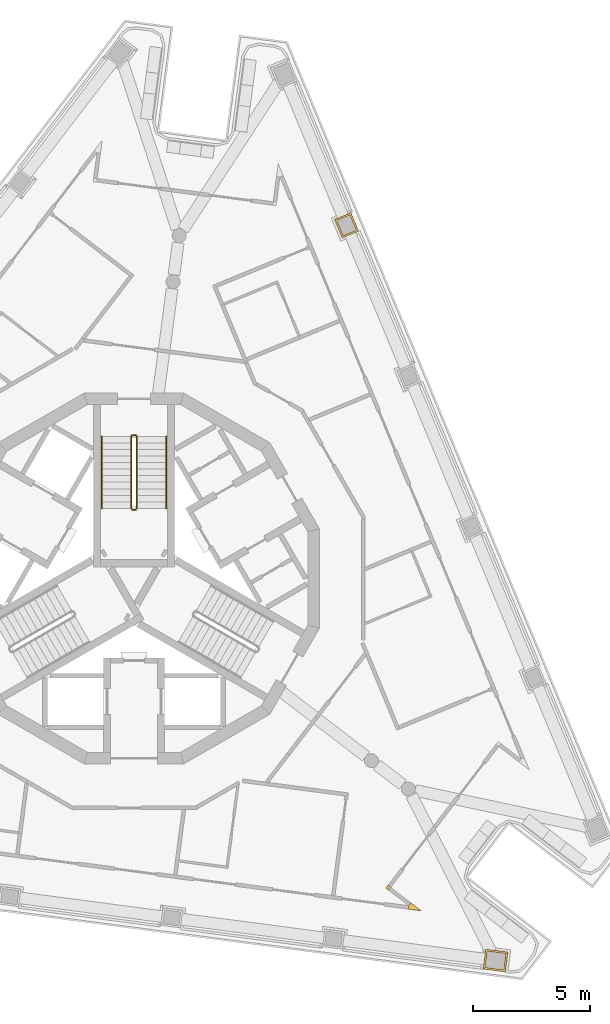
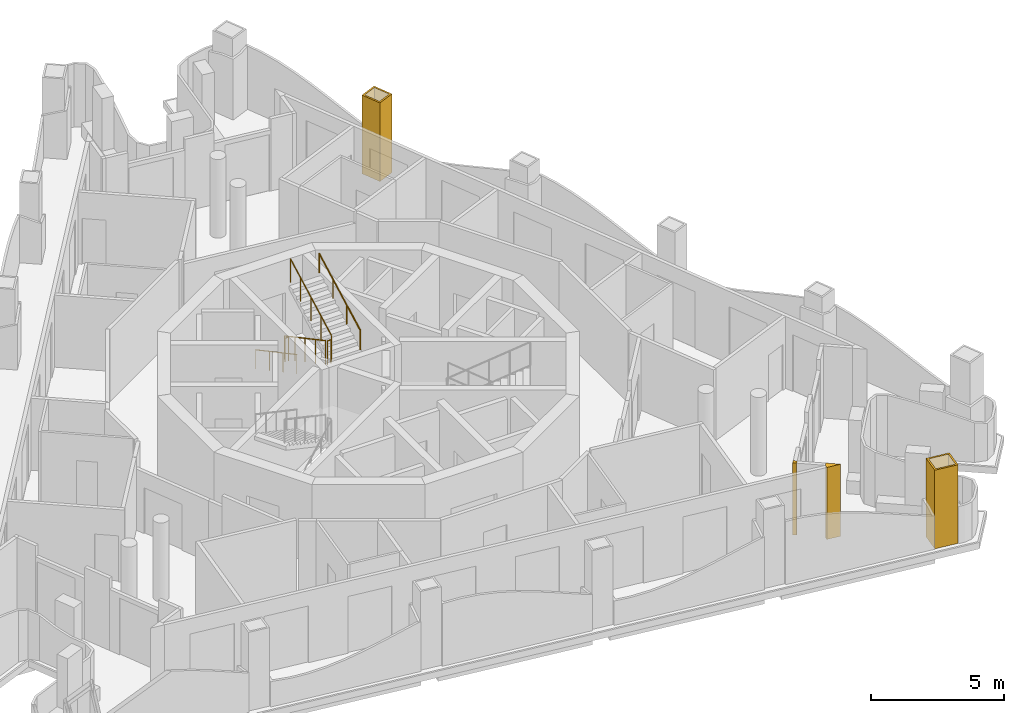
# One storey, part 10 of 12: 6 railings, 4 coverings.
"""IFC4 building model written with IfcOpenShell, lengths in metres."""

from ifc_helpers import new_model, si_unit, direction, frame, origin, origin_2d, place, context, subcontext, project, spatial, polyline, circle, outline, extrude, material, layer, layer_set, type_object, element, save


model = new_model("IFC4")

# Units and contexts
model_context = context("Model", 3, precision=1e-05, world=origin(), true_north=direction((0.0, 1.0)))
body_context = subcontext(model_context, "Body", "Model", "MODEL_VIEW")
ifc_project = project(units=[si_unit("LENGTHUNIT", "METRE"), si_unit("AREAUNIT", "SQUARE_METRE"), si_unit("VOLUMEUNIT", "CUBIC_METRE"), si_unit("PLANEANGLEUNIT", "RADIAN"), si_unit("MASSUNIT", "GRAM", prefix="KILO")], contexts=[model_context])

# Site, building, storey
site_placement = place(None, origin())
site = spatial("IfcSite", under=ifc_project, at=site_placement, CompositionType="ELEMENT")
building_placement = place(site_placement, origin())
building = spatial("IfcBuilding", under=site, at=building_placement, Name="Trine Commons Tower", CompositionType="ELEMENT")
storey_placement = place(building_placement, frame((0.0, 0.0, 293.39990234375)))
storey = spatial("IfcBuildingStorey", under=building, at=storey_placement, Name="L77", CompositionType="ELEMENT", Elevation=293.39990234375)

# Coverings
ifc_material_1 = material(Name="Aluminium-framed insulated wall panel", Category="aluminium")
ifc_layer_1 = layer(ifc_material_1, 0.14990234375)
ifc_layer_set_1 = layer_set([ifc_layer_1], Name="Aluminium-framed insulated wall panel")
covering_type_1 = type_object("IfcCoveringType", Name="Glazing corner post, aluminium", PredefinedType="CLADDING", material=ifc_layer_set_1)
covering_1_placement = place(storey_placement, origin())
element("IfcCovering", 1, at=covering_1_placement, inside=storey, type_object=covering_type_1, Name="Glazing corner post 8-08", PredefinedType="CLADDING", context=body_context, shape_type="SweptSolid", body=[
    extrude(outline(polyline([(90.86962890625, 49.193115234375), (90.9609375, 49.312255859375), (90.841796875, 49.403564453125), (90.75048828125, 49.284423828125), (90.86962890625, 49.193115234375)])), origin(), (0.0, 0.0, 1.0), 3.300048828125),
])
covering_2_placement = place(storey_placement, origin())
element("IfcCovering", 2, at=covering_2_placement, inside=storey, type_object=covering_type_1, Name="Glazing corner post 8-09", PredefinedType="CLADDING", context=body_context, shape_type="SweptSolid", body=[
    extrude(outline(polyline([(91.71142578125, 48.383544921875), (92.266357421875, 48.310302734375), (91.822265625, 48.651123046875), (91.73095703125, 48.5322265625), (91.71142578125, 48.383544921875)])), origin(), (0.0, 0.0, 1.0), 3.300048828125),
])
ifc_material_2 = material(Name="Limestone, honed", Category="masonry")
ifc_layer_2 = layer(ifc_material_2, 0.074951171875)
ifc_layer_set_2 = layer_set([ifc_layer_2], Name="Limestone, honed")
covering_type_2 = type_object("IfcCoveringType", Name="Limestone column cladding 75", PredefinedType="CLADDING", material=ifc_layer_set_2)
covering_3_placement = place(storey_placement, origin())
element("IfcCovering", 3, at=covering_3_placement, inside=storey, type_object=covering_type_2, Name="Limestone pier cladding 8-01", PredefinedType="CLADDING", context=body_context, shape_type="SweptSolid", body=[
    extrude(outline(polyline([(95.019287109375, 46.672119140625), (94.908447265625, 45.829345703125), (95.850341796875, 45.705322265625), (95.961181640625, 46.548095703125), (95.019287109375, 46.672119140625)]), holes=[polyline([(95.083984375, 46.587890625), (94.992431640625, 45.893798828125), (95.78564453125, 45.78955078125), (95.877197265625, 46.4833984375), (95.083984375, 46.587890625)])]), origin(), (0.0, 0.0, 1.0), 3.60009765625),
])
covering_4_placement = place(storey_placement, origin())
element("IfcCovering", 4, at=covering_4_placement, inside=storey, type_object=covering_type_2, Name="Limestone pier cladding 8-14", PredefinedType="CLADDING", context=body_context, shape_type="SweptSolid", body=[
    extrude(outline(polyline([(89.2607421875, 78.11669921875), (88.56787109375, 77.82958984375), (88.89306640625, 77.04443359375), (89.5859375, 77.33154296875), (89.2607421875, 78.11669921875)]), holes=[polyline([(89.22021484375, 78.018798828125), (88.665771484375, 77.789306640625), (88.93359375, 77.142333984375), (89.488037109375, 77.3720703125), (89.22021484375, 78.018798828125)])]), origin(), (0.0, 0.0, 1.0), 3.60009765625),
])

# Railings
ifc_material_3 = material(Name="Stainless steel balustrade", Category="steel")
railing_type_1 = type_object("IfcRailingType", Name="Stair guard, steel balustrade 1100", PredefinedType="GUARDRAIL", material=ifc_material_3)
railing_1_placement = place(storey_placement, frame((79.875, 68.570556640625, 0.150146484375)))
element("IfcRailing", 5, at=railing_1_placement, inside=storey, type_object=railing_type_1, Name="L77 ST1D stair guard 1", PredefinedType="GUARDRAIL", context=body_context, shape_type="SweptSolid", body=[
    extrude(circle(Radius=0.02392578125, at=origin_2d()), frame((0.0, 0.0, 1.076171875), z_axis=(0.0, -0.881496589024, 0.472190389079), x_axis=(1.0, 0.0, 0.0)), (0.0, 0.0, 1.0), 3.494140625),
    extrude(circle(Radius=0.02099609375, at=origin_2d()), origin(), (0.0, 0.0, 1.0), 1.052001953125),
    extrude(circle(Radius=0.02099609375, at=origin_2d()), frame((0.0, -0.77001953125, 0.41259765625)), (0.0, 0.0, 1.0), 1.052001953125),
    extrude(circle(Radius=0.02099609375, at=origin_2d()), frame((0.0, -1.5400390625, 0.824951171875)), (0.0, 0.0, 1.0), 1.052001953125),
    extrude(circle(Radius=0.02099609375, at=origin_2d()), frame((0.0, -2.31005859375, 1.2373046875)), (0.0, 0.0, 1.0), 1.052001953125),
    extrude(circle(Radius=0.02099609375, at=origin_2d()), frame((0.0, -3.080078125, 1.64990234375)), (0.0, 0.0, 1.0), 1.052001953125),
])
railing_2_placement = place(storey_placement, frame((79.925048828125, 65.440673828125, 1.800048828125)))
element("IfcRailing", 6, at=railing_2_placement, inside=storey, type_object=railing_type_1, Name="L77 ST1D stair guard 2", PredefinedType="GUARDRAIL", context=body_context, shape_type="SweptSolid", body=[
    extrude(circle(Radius=0.02392578125, at=origin_2d()), frame((0.0, 0.0, 1.076171875), z_axis=(1.0, 0.0, 0.0), x_axis=(0.0, 1.0, 0.0)), (0.0, 0.0, 1.0), 0.14990234375),
    extrude(circle(Radius=0.02099609375, at=origin_2d()), origin(), (0.0, 0.0, 1.0), 1.052001953125),
    extrude(circle(Radius=0.02099609375, at=origin_2d()), frame((0.14990234375, 0.0, 0.0)), (0.0, 0.0, 1.0), 1.052001953125),
])
railing_3_placement = place(storey_placement, frame((80.125, 65.490478515625, 1.9501953125)))
element("IfcRailing", 7, at=railing_3_placement, inside=storey, type_object=railing_type_1, Name="L77 ST1D stair guard 3", PredefinedType="GUARDRAIL", context=body_context, shape_type="SweptSolid", body=[
    extrude(circle(Radius=0.02392578125, at=origin_2d()), frame((0.0, 0.0, 1.076171875), z_axis=(0.0, 0.881496589024, 0.472190389079), x_axis=(-1.0, 0.0, 0.0)), (0.0, 0.0, 1.0), 3.494140625),
    extrude(circle(Radius=0.02099609375, at=origin_2d()), origin(), (0.0, 0.0, 1.0), 1.052001953125),
    extrude(circle(Radius=0.02099609375, at=origin_2d()), frame((0.0, 0.77001953125, 0.41259765625)), (0.0, 0.0, 1.0), 1.052001953125),
    extrude(circle(Radius=0.02099609375, at=origin_2d()), frame((0.0, 1.5400390625, 0.824951171875)), (0.0, 0.0, 1.0), 1.052001953125),
    extrude(circle(Radius=0.02099609375, at=origin_2d()), frame((0.0, 2.31005859375, 1.2373046875)), (0.0, 0.0, 1.0), 1.052001953125),
    extrude(circle(Radius=0.02099609375, at=origin_2d()), frame((0.0, 3.080078125, 1.64990234375)), (0.0, 0.0, 1.0), 1.052001953125),
])
railing_4_placement = place(storey_placement, frame((79.925048828125, 68.62060546875, 0.0)))
element("IfcRailing", 8, at=railing_4_placement, inside=storey, type_object=railing_type_1, Name="L77 ST1D stair guard 4", PredefinedType="GUARDRAIL", context=body_context, shape_type="SweptSolid", body=[
    extrude(circle(Radius=0.02392578125, at=origin_2d()), frame((0.0, 0.0, 1.076171875), z_axis=(1.0, 0.0, 0.0), x_axis=(0.0, 1.0, 0.0)), (0.0, 0.0, 1.0), 0.14990234375),
    extrude(circle(Radius=0.02099609375, at=origin_2d()), origin(), (0.0, 0.0, 1.0), 1.052001953125),
    extrude(circle(Radius=0.02099609375, at=origin_2d()), frame((0.14990234375, 0.0, 0.0)), (0.0, 0.0, 1.0), 1.052001953125),
])
ifc_material_4 = material(Name="Stainless steel handrail", Category="steel")
railing_type_2 = type_object("IfcRailingType", Name="Stair handrail, steel 900", PredefinedType="HANDRAIL", material=ifc_material_4)
railing_5_placement = place(storey_placement, frame((78.625, 68.570556640625, 0.150146484375)))
element("IfcRailing", 9, at=railing_5_placement, inside=storey, type_object=railing_type_2, Name="L77 ST1D stair handrail 1", PredefinedType="HANDRAIL", context=body_context, shape_type="SweptSolid", body=[
    extrude(circle(Radius=0.02099609375, at=origin_2d()), frame((0.0, 0.0, 0.87890625), z_axis=(0.0, -0.881496589024, 0.472190389079), x_axis=(1.0, 0.0, 0.0)), (0.0, 0.0, 1.0), 3.494140625),
    extrude(circle(Radius=0.01513671875, at=origin_2d()), origin(), (0.0, 0.0, 1.0), 0.85791015625),
    extrude(circle(Radius=0.01513671875, at=origin_2d()), frame((0.0, -1.026611328125, 0.550048828125)), (0.0, 0.0, 1.0), 0.85791015625),
    extrude(circle(Radius=0.01513671875, at=origin_2d()), frame((0.0, -2.053466796875, 1.099853515625)), (0.0, 0.0, 1.0), 0.85791015625),
    extrude(circle(Radius=0.01513671875, at=origin_2d()), frame((0.0, -3.080078125, 1.64990234375)), (0.0, 0.0, 1.0), 0.85791015625),
])
railing_6_placement = place(storey_placement, frame((81.375, 65.490478515625, 1.9501953125)))
element("IfcRailing", 10, at=railing_6_placement, inside=storey, type_object=railing_type_2, Name="L77 ST1D stair handrail 2", PredefinedType="HANDRAIL", context=body_context, shape_type="SweptSolid", body=[
    extrude(circle(Radius=0.02099609375, at=origin_2d()), frame((0.0, 0.0, 0.87890625), z_axis=(0.0, 0.881496589024, 0.472190389079), x_axis=(-1.0, 0.0, 0.0)), (0.0, 0.0, 1.0), 3.494140625),
    extrude(circle(Radius=0.01513671875, at=origin_2d()), origin(), (0.0, 0.0, 1.0), 0.85791015625),
    extrude(circle(Radius=0.01513671875, at=origin_2d()), frame((0.0, 1.026611328125, 0.550048828125)), (0.0, 0.0, 1.0), 0.85791015625),
    extrude(circle(Radius=0.01513671875, at=origin_2d()), frame((0.0, 2.053466796875, 1.099853515625)), (0.0, 0.0, 1.0), 0.85791015625),
    extrude(circle(Radius=0.01513671875, at=origin_2d()), frame((0.0, 3.080078125, 1.64990234375)), (0.0, 0.0, 1.0), 0.85791015625),
])

save(model, "model.ifc")
